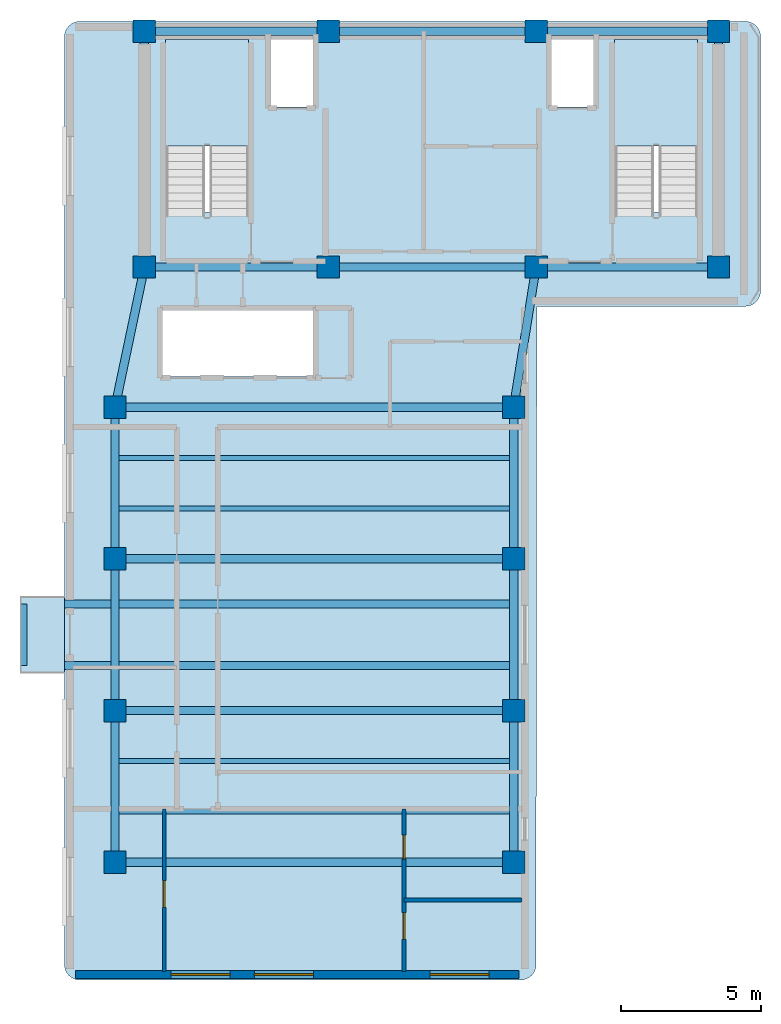
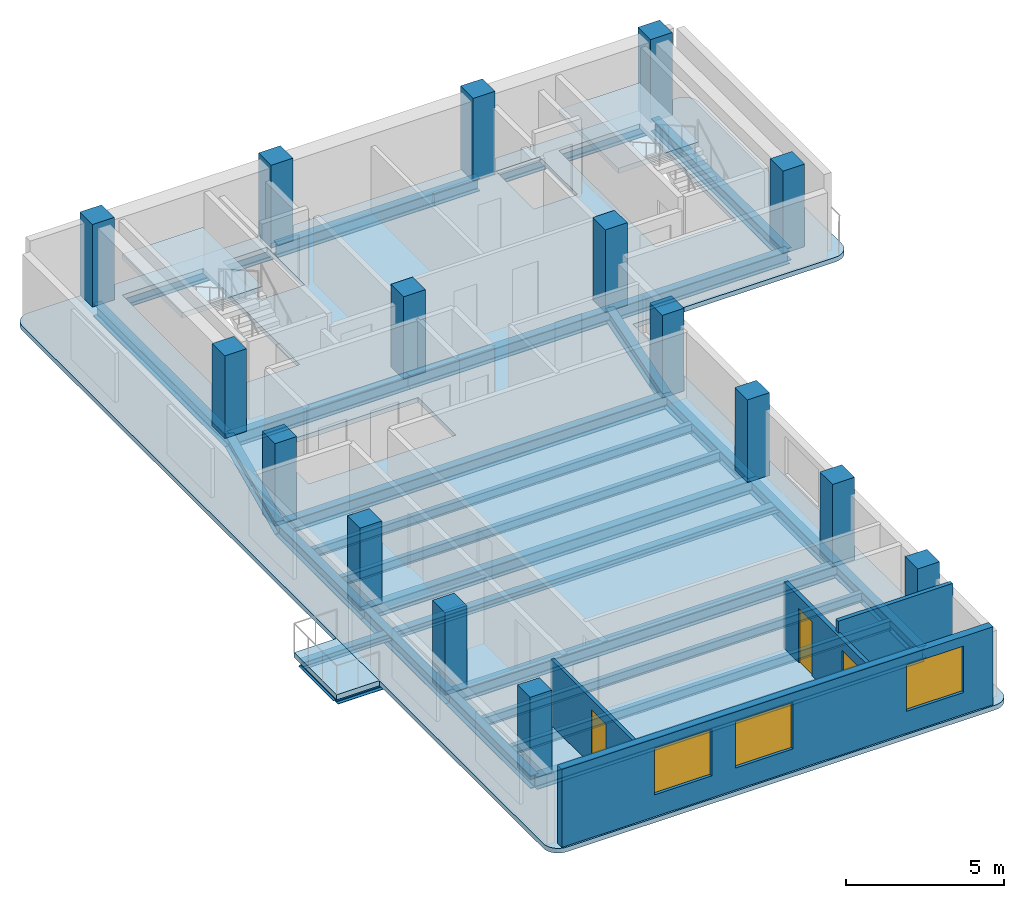
# One storey, part 1 of 5: 27 beams, 16 columns, 4 slabs, 4 walls, 3 doors, 3 windows, 6 openings, 2 elements without a shape of their own.
"""IFC4 building model written with IfcOpenShell, lengths in metres."""

from ifc_helpers import new_model, si_unit, direction, frame, frame_2d, origin, origin_2d, place, context, subcontext, project, spatial, polyline, rectangle, i_section, outline, extrude, material, layer, layer_set, material_profile, profile_set, type_object, element, fill, aggregate, save


model = new_model("IFC4")

# Units and contexts
model_context = context("Model", 3, precision=1e-05, world=origin(), true_north=direction((0.0, 1.0)))
body_context = subcontext(model_context, "Body", "Model", "MODEL_VIEW")
ifc_project = project(units=[si_unit("LENGTHUNIT", "METRE"), si_unit("AREAUNIT", "SQUARE_METRE"), si_unit("VOLUMEUNIT", "CUBIC_METRE"), si_unit("PLANEANGLEUNIT", "RADIAN"), si_unit("MASSUNIT", "GRAM", prefix="KILO")], contexts=[model_context])

# Site, building, storey
site_placement = place(None, origin())
site = spatial("IfcSite", under=ifc_project, at=site_placement, CompositionType="ELEMENT")
building_placement = place(site_placement, origin())
building = spatial("IfcBuilding", under=site, at=building_placement, Name="Kuzgunbayir Cultural Tower", CompositionType="ELEMENT")
storey_placement = place(building_placement, frame((0.0, 0.0, 231.199951171875)))
storey = spatial("IfcBuildingStorey", under=building, at=storey_placement, Name="L68", CompositionType="ELEMENT", Elevation=231.199951171875)

# Columns
ifc_material_1 = material(Name="Concrete C50/60", Category="concrete")
ifc_material_profile_1 = material_profile(ifc_material_1, rectangle(XDim=0.800048828125, YDim=0.800048828125, at=origin_2d()), Name="RC 800x800")
ifc_profile_set_1 = profile_set([ifc_material_profile_1], Name="Concrete C50/60")
column_type_1 = type_object("IfcColumnType", Name="COL-CORE-800", PredefinedType="COLUMN", material=ifc_profile_set_1)
for number, where, z_axis, x_axis, name in (
    (1, (6.449951171875, 33.800048828125, 0.0), (0.0, 0.0, 1.0), (1.0, 0.0, 0.0), "L68 T1 Core Boundary Column CC1-1"),
    (2, (13.0, 33.800048828125, 0.0), (0.0, 0.0, 1.0), (1.0, 0.0, 0.0), "L68 T1 Core Boundary Column CC1-2"),
    (3, (20.39990234375, 33.800048828125, 0.0), (0.0, 0.0, 1.0), (1.0, 0.0, 0.0), "L68 T1 Core Boundary Column CC1-3"),
    (4, (26.89990234375, 33.800048828125, 0.0), (0.0, 0.0, 1.0), (1.0, 0.0, 0.0), "L68 T1 Core Boundary Column CC1-4"),
    (5, (6.449951171875, 42.199951171875, 0.0), (0.0, 0.0, 1.0), (1.0, 0.0, 0.0), "L68 T1 Core Boundary Column CC1-5"),
    (6, (13.0, 42.199951171875, 0.0), (0.0, 0.0, 1.0), (1.0, 0.0, 0.0), "L68 T1 Core Boundary Column CC1-6"),
    (7, (20.39990234375, 42.199951171875, 0.0), (0.0, 0.0, 1.0), (1.0, 0.0, 0.0), "L68 T1 Core Boundary Column CC1-7"),
    (8, (26.89990234375, 42.199951171875, 0.0), (0.0, 0.0, 1.0), (1.0, 0.0, 0.0), "L68 T1 Core Boundary Column CC1-8"),
):
    element("IfcColumn", number, at=place(storey_placement, frame(where, z_axis=z_axis, x_axis=x_axis)), inside=storey, type_object=column_type_1, Name=name, PredefinedType="COLUMN", context=body_context, shape_type="SweptSolid", body=[
        extrude(rectangle(XDim=0.800048828125, YDim=0.800048828125, at=origin_2d()), origin(), (0.0, 0.0, 1.0), 3.199951171875),
    ])
ifc_material_profile_2 = material_profile(ifc_material_1, rectangle(XDim=0.800048828125, YDim=0.800048828125, at=origin_2d()), Name="RC 800x800")
ifc_profile_set_2 = profile_set([ifc_material_profile_2], Name="Concrete C50/60")
column_type_2 = type_object("IfcColumnType", Name="COL-T1-800", PredefinedType="COLUMN", material=ifc_profile_set_2)
for number, where, z_axis, x_axis, name in (
    (9, (5.39990234375, 12.60009765625, 0.0), (0.0, 0.0, 1.0), (1.0, 0.0, 0.0), "L68 Tower 1 Wing A Column T1A-W-1"),
    (10, (19.60009765625, 12.60009765625, 0.0), (0.0, 0.0, 1.0), (1.0, 0.0, 0.0), "L68 Tower 1 Wing A Column T1A-E-1"),
    (11, (5.39990234375, 18.0, 0.0), (0.0, 0.0, 1.0), (1.0, 0.0, 0.0), "L68 Tower 1 Wing A Column T1A-W-2"),
    (12, (19.60009765625, 18.0, 0.0), (0.0, 0.0, 1.0), (1.0, 0.0, 0.0), "L68 Tower 1 Wing A Column T1A-E-2"),
    (13, (5.39990234375, 23.39990234375, 0.0), (0.0, 0.0, 1.0), (1.0, 0.0, 0.0), "L68 Tower 1 Wing A Column T1A-W-3"),
    (14, (19.60009765625, 23.39990234375, 0.0), (0.0, 0.0, 1.0), (1.0, 0.0, 0.0), "L68 Tower 1 Wing A Column T1A-E-3"),
    (15, (5.39990234375, 28.800048828125, 0.0), (0.0, 0.0, 1.0), (1.0, 0.0, 0.0), "L68 Tower 1 Wing A Column T1A-W-4"),
    (16, (19.60009765625, 28.800048828125, 0.0), (0.0, 0.0, 1.0), (1.0, 0.0, 0.0), "L68 Tower 1 Wing A Column T1A-E-4"),
):
    element("IfcColumn", number, at=place(storey_placement, frame(where, z_axis=z_axis, x_axis=x_axis)), inside=storey, type_object=column_type_2, Name=name, PredefinedType="COLUMN", context=body_context, shape_type="SweptSolid", body=[
        extrude(rectangle(XDim=0.800048828125, YDim=0.800048828125, at=origin_2d()), origin(), (0.0, 0.0, 1.0), 3.199951171875),
    ])

# Beams
ifc_material_2 = material(Name="Steel S355J2", Category="steel")
ifc_material_profile_3 = material_profile(ifc_material_2, i_section(OverallWidth=0.280029296875, OverallDepth=0.280029296875, WebThickness=0.010498046875, FlangeThickness=0.01806640625, FilletRadius=0.02392578125, at=origin_2d()), Name="HEB 280")
ifc_profile_set_3 = profile_set([ifc_material_profile_3], Name="Steel S355J2")
beam_type_1 = type_object("IfcBeamType", Name="BM-BAL-HEB280", PredefinedType="BEAM", material=ifc_profile_set_3)
for number, where, z_axis, x_axis, name in (
    (17, (2.159912109375, 19.60009765625, -0.33984375), (1.0, 0.0, 0.0), (0.0, 1.0, 0.0), "L68 Balcony Outrigger Beam BAL-L68-WA2.1"),
    (18, (2.159912109375, 21.800048828125, -0.33984375), (1.0, 0.0, 0.0), (0.0, 1.0, 0.0), "L68 Balcony Outrigger Beam BAL-L68-WA2.2"),
):
    element("IfcBeam", number, at=place(storey_placement, frame(where, z_axis=z_axis, x_axis=x_axis)), inside=storey, type_object=beam_type_1, Name=name, PredefinedType="BEAM", context=body_context, shape_type="SweptSolid", body=[
        extrude(i_section(OverallWidth=0.280029296875, OverallDepth=0.280029296875, WebThickness=0.010498046875, FlangeThickness=0.01806640625, FilletRadius=0.02392578125, at=origin_2d()), origin(), (0.0, 0.0, 1.0), 17.440185546875),
    ])
ifc_material_profile_4 = material_profile(ifc_material_2, i_section(OverallWidth=0.199951171875, OverallDepth=0.199951171875, WebThickness=0.009033203125, FlangeThickness=0.014892578125, FilletRadius=0.01806640625, at=origin_2d()), Name="HEB 200")
ifc_profile_set_4 = profile_set([ifc_material_profile_4], Name="Steel S355J2")
beam_type_2 = type_object("IfcBeamType", Name="BM-CAN-HEB200", PredefinedType="BEAM", material=ifc_profile_set_4)
beam_1_placement = place(storey_placement, frame((2.159912109375, 19.60009765625, -0.300048828125), z_axis=(0.0, 1.0, 0.0), x_axis=(-1.0, 0.0, 0.0)))
element("IfcBeam", 19, at=beam_1_placement, inside=storey, type_object=beam_type_2, Name="L68 Balcony Edge Header BAL-L68-WA2", PredefinedType="BEAM", context=body_context, shape_type="SweptSolid", body=[
    extrude(i_section(OverallWidth=0.199951171875, OverallDepth=0.199951171875, WebThickness=0.009033203125, FlangeThickness=0.014892578125, FilletRadius=0.01806640625, at=origin_2d()), origin(), (0.0, 0.0, 1.0), 2.199951171875),
])
ifc_material_profile_5 = material_profile(ifc_material_2, i_section(OverallWidth=0.300048828125, OverallDepth=0.5, WebThickness=0.014404296875, FlangeThickness=0.028076171875, FilletRadius=0.027099609375, at=origin_2d()), Name="HEB 500")
ifc_profile_set_5 = profile_set([ifc_material_profile_5], Name="Steel S355J2")
beam_type_3 = type_object("IfcBeamType", Name="BM-EXT-HEB500", PredefinedType="BEAM", material=ifc_profile_set_5)
for number, where, z_axis, x_axis, name in (
    (20, (5.39990234375, 12.60009765625, -0.429931640625), (0.0, 1.0, 0.0), (-1.0, 0.0, 0.0), "L68 Wing A West Girder 1"),
    (21, (19.60009765625, 12.60009765625, -0.429931640625), (0.0, 1.0, 0.0), (-1.0, 0.0, 0.0), "L68 Wing A East Girder 1"),
    (22, (5.39990234375, 18.0, -0.429931640625), (0.0, 1.0, 0.0), (-1.0, 0.0, 0.0), "L68 Wing A West Girder 2"),
    (23, (19.60009765625, 18.0, -0.429931640625), (0.0, 1.0, 0.0), (-1.0, 0.0, 0.0), "L68 Wing A East Girder 2"),
):
    element("IfcBeam", number, at=place(storey_placement, frame(where, z_axis=z_axis, x_axis=x_axis)), inside=storey, type_object=beam_type_3, Name=name, PredefinedType="BEAM", context=body_context, shape_type="SweptSolid", body=[
        extrude(i_section(OverallWidth=0.300048828125, OverallDepth=0.5, WebThickness=0.014404296875, FlangeThickness=0.028076171875, FilletRadius=0.027099609375, at=origin_2d()), origin(), (0.0, 0.0, 1.0), 5.39990234375),
    ])
for number, where, z_axis, x_axis, name in (
    (24, (5.39990234375, 23.39990234375, -0.429931640625), (0.0, 1.0, 0.0), (-1.0, 0.0, 0.0), "L68 Wing A West Girder 3"),
    (25, (19.60009765625, 23.39990234375, -0.429931640625), (0.0, 1.0, 0.0), (-1.0, 0.0, 0.0), "L68 Wing A East Girder 3"),
):
    element("IfcBeam", number, at=place(storey_placement, frame(where, z_axis=z_axis, x_axis=x_axis)), inside=storey, type_object=beam_type_3, Name=name, PredefinedType="BEAM", context=body_context, shape_type="SweptSolid", body=[
        extrude(i_section(OverallWidth=0.300048828125, OverallDepth=0.5, WebThickness=0.014404296875, FlangeThickness=0.028076171875, FilletRadius=0.027099609375, at=origin_2d()), origin(), (0.0, 0.0, 1.0), 5.400146484375),
    ])
ifc_material_profile_6 = material_profile(ifc_material_2, i_section(OverallWidth=0.300048828125, OverallDepth=0.5, WebThickness=0.014404296875, FlangeThickness=0.028076171875, FilletRadius=0.027099609375, at=origin_2d()), Name="HEB 500")
ifc_profile_set_6 = profile_set([ifc_material_profile_6], Name="Steel S355J2")
beam_type_4 = type_object("IfcBeamType", Name="BM-GIR-HEB500", PredefinedType="BEAM", material=ifc_profile_set_6)
beam_2_placement = place(storey_placement, frame((6.449951171875, 33.800048828125, -0.429931640625), z_axis=(1.0, 0.0, 0.0), x_axis=(0.0, 1.0, 0.0)))
element("IfcBeam", 26, at=beam_2_placement, inside=storey, type_object=beam_type_4, Name="L68 Core South Girder 1", PredefinedType="BEAM", context=body_context, shape_type="SweptSolid", body=[
    extrude(i_section(OverallWidth=0.300048828125, OverallDepth=0.5, WebThickness=0.014404296875, FlangeThickness=0.028076171875, FilletRadius=0.027099609375, at=origin_2d()), origin(), (0.0, 0.0, 1.0), 6.550048828125),
])
beam_3_placement = place(storey_placement, frame((13.0, 33.800048828125, -0.429931640625), z_axis=(1.0, 0.0, 0.0), x_axis=(0.0, 1.0, 0.0)))
element("IfcBeam", 27, at=beam_3_placement, inside=storey, type_object=beam_type_4, Name="L68 Core South Girder 2", PredefinedType="BEAM", context=body_context, shape_type="SweptSolid", body=[
    extrude(i_section(OverallWidth=0.300048828125, OverallDepth=0.5, WebThickness=0.014404296875, FlangeThickness=0.028076171875, FilletRadius=0.027099609375, at=origin_2d()), origin(), (0.0, 0.0, 1.0), 7.39990234375),
])
beam_4_placement = place(storey_placement, frame((20.39990234375, 33.800048828125, -0.429931640625), z_axis=(1.0, 0.0, 0.0), x_axis=(0.0, 1.0, 0.0)))
element("IfcBeam", 28, at=beam_4_placement, inside=storey, type_object=beam_type_4, Name="L68 Core South Girder 3", PredefinedType="BEAM", context=body_context, shape_type="SweptSolid", body=[
    extrude(i_section(OverallWidth=0.300048828125, OverallDepth=0.5, WebThickness=0.014404296875, FlangeThickness=0.028076171875, FilletRadius=0.027099609375, at=origin_2d()), origin(), (0.0, 0.0, 1.0), 6.5),
])
beam_5_placement = place(storey_placement, frame((6.449951171875, 42.199951171875, -0.429931640625), z_axis=(1.0, 0.0, 0.0), x_axis=(0.0, 1.0, 0.0)))
element("IfcBeam", 29, at=beam_5_placement, inside=storey, type_object=beam_type_4, Name="L68 Core North Girder 1", PredefinedType="BEAM", context=body_context, shape_type="SweptSolid", body=[
    extrude(i_section(OverallWidth=0.300048828125, OverallDepth=0.5, WebThickness=0.014404296875, FlangeThickness=0.028076171875, FilletRadius=0.027099609375, at=origin_2d()), origin(), (0.0, 0.0, 1.0), 6.550048828125),
])
beam_6_placement = place(storey_placement, frame((13.0, 42.199951171875, -0.429931640625), z_axis=(1.0, 0.0, 0.0), x_axis=(0.0, 1.0, 0.0)))
element("IfcBeam", 30, at=beam_6_placement, inside=storey, type_object=beam_type_4, Name="L68 Core North Girder 2", PredefinedType="BEAM", context=body_context, shape_type="SweptSolid", body=[
    extrude(i_section(OverallWidth=0.300048828125, OverallDepth=0.5, WebThickness=0.014404296875, FlangeThickness=0.028076171875, FilletRadius=0.027099609375, at=origin_2d()), origin(), (0.0, 0.0, 1.0), 7.39990234375),
])
beam_7_placement = place(storey_placement, frame((20.39990234375, 42.199951171875, -0.429931640625), z_axis=(1.0, 0.0, 0.0), x_axis=(0.0, 1.0, 0.0)))
element("IfcBeam", 31, at=beam_7_placement, inside=storey, type_object=beam_type_4, Name="L68 Core North Girder 3", PredefinedType="BEAM", context=body_context, shape_type="SweptSolid", body=[
    extrude(i_section(OverallWidth=0.300048828125, OverallDepth=0.5, WebThickness=0.014404296875, FlangeThickness=0.028076171875, FilletRadius=0.027099609375, at=origin_2d()), origin(), (0.0, 0.0, 1.0), 6.5),
])
for number, where, z_axis, x_axis, name in (
    (32, (6.449951171875, 33.800048828125, -0.429931640625), (0.0, 1.0, 0.0), (-1.0, 0.0, 0.0), "L68 Core West Edge Girder"),
    (33, (26.89990234375, 33.800048828125, -0.429931640625), (0.0, 1.0, 0.0), (-1.0, 0.0, 0.0), "L68 Core East Edge Girder"),
):
    element("IfcBeam", number, at=place(storey_placement, frame(where, z_axis=z_axis, x_axis=x_axis)), inside=storey, type_object=beam_type_4, Name=name, PredefinedType="BEAM", context=body_context, shape_type="SweptSolid", body=[
        extrude(i_section(OverallWidth=0.300048828125, OverallDepth=0.5, WebThickness=0.014404296875, FlangeThickness=0.028076171875, FilletRadius=0.027099609375, at=origin_2d()), origin(), (0.0, 0.0, 1.0), 8.39990234375),
    ])
for number, where, z_axis, x_axis, name in (
    (34, (5.39990234375, 12.60009765625, -0.429931640625), (1.0, 0.0, 0.0), (0.0, 1.0, 0.0), "L68 Wing A Transverse Girder 1"),
    (35, (5.39990234375, 18.0, -0.429931640625), (1.0, 0.0, 0.0), (0.0, 1.0, 0.0), "L68 Wing A Transverse Girder 2"),
    (36, (5.39990234375, 23.39990234375, -0.429931640625), (1.0, 0.0, 0.0), (0.0, 1.0, 0.0), "L68 Wing A Transverse Girder 3"),
    (37, (5.39990234375, 28.800048828125, -0.429931640625), (1.0, 0.0, 0.0), (0.0, 1.0, 0.0), "L68 Wing A Transverse Girder 4"),
):
    element("IfcBeam", number, at=place(storey_placement, frame(where, z_axis=z_axis, x_axis=x_axis)), inside=storey, type_object=beam_type_4, Name=name, PredefinedType="BEAM", context=body_context, shape_type="SweptSolid", body=[
        extrude(i_section(OverallWidth=0.300048828125, OverallDepth=0.5, WebThickness=0.014404296875, FlangeThickness=0.028076171875, FilletRadius=0.027099609375, at=origin_2d()), origin(), (0.0, 0.0, 1.0), 14.2001953125),
    ])
beam_8_placement = place(storey_placement, frame((5.39990234375, 28.800048828125, -0.429931640625), z_axis=(0.205526387753, 0.978651574329, 0.0), x_axis=(-0.978651574329, 0.205526387753, 0.0)))
element("IfcBeam", 38, at=beam_8_placement, inside=storey, type_object=beam_type_4, Name="L68 Wing A West Core Floor Girder", PredefinedType="BEAM", context=body_context, shape_type="SweptSolid", body=[
    extrude(i_section(OverallWidth=0.300048828125, OverallDepth=0.5, WebThickness=0.014404296875, FlangeThickness=0.028076171875, FilletRadius=0.027099609375, at=origin_2d()), origin(), (0.0, 0.0, 1.0), 5.109130859375),
])
beam_9_placement = place(storey_placement, frame((19.60009765625, 28.800048828125, -0.429931640625), z_axis=(0.157952891656, 0.987446648694, 0.0), x_axis=(-0.987446648694, 0.157952891656, 0.0)))
element("IfcBeam", 39, at=beam_9_placement, inside=storey, type_object=beam_type_4, Name="L68 Wing A East Core Floor Girder", PredefinedType="BEAM", context=body_context, shape_type="SweptSolid", body=[
    extrude(i_section(OverallWidth=0.300048828125, OverallDepth=0.5, WebThickness=0.014404296875, FlangeThickness=0.028076171875, FilletRadius=0.027099609375, at=origin_2d()), origin(), (0.0, 0.0, 1.0), 5.0634765625),
])
ifc_material_profile_7 = material_profile(ifc_material_2, i_section(OverallWidth=0.169921875, OverallDepth=0.360107421875, WebThickness=0.008056640625, FlangeThickness=0.0126953125, FilletRadius=0.01806640625, at=origin_2d()), Name="IPE 360")
ifc_profile_set_7 = profile_set([ifc_material_profile_7], Name="Steel S355J2")
beam_type_5 = type_object("IfcBeamType", Name="BM-JST-IPE360", PredefinedType="JOIST", material=ifc_profile_set_7)
for number, where, z_axis, x_axis, name in (
    (40, (5.550048828125, 14.39990234375, -0.35986328125), (1.0, 0.0, 0.0), (0.0, 1.0, 0.0), "L68 Wing A Secondary Joist 1"),
    (41, (5.550048828125, 16.199951171875, -0.35986328125), (1.0, 0.0, 0.0), (0.0, 1.0, 0.0), "L68 Wing A Secondary Joist 2"),
    (42, (5.550048828125, 25.199951171875, -0.35986328125), (1.0, 0.0, 0.0), (0.0, 1.0, 0.0), "L68 Wing A Secondary Joist 5"),
    (43, (5.550048828125, 27.0, -0.35986328125), (1.0, 0.0, 0.0), (0.0, 1.0, 0.0), "L68 Wing A Secondary Joist 6"),
):
    element("IfcBeam", number, at=place(storey_placement, frame(where, z_axis=z_axis, x_axis=x_axis)), inside=storey, type_object=beam_type_5, Name=name, PredefinedType="JOIST", context=body_context, shape_type="SweptSolid", body=[
        extrude(i_section(OverallWidth=0.169921875, OverallDepth=0.360107421875, WebThickness=0.008056640625, FlangeThickness=0.0126953125, FilletRadius=0.01806640625, at=origin_2d()), origin(), (0.0, 0.0, 1.0), 13.89990234375),
    ])

# Slab
ifc_material_3 = material(Name="Concrete C40/50", Category="concrete")
ifc_layer_1 = layer(ifc_material_3, 0.199951171875)
ifc_layer_set_1 = layer_set([ifc_layer_1], Name="Concrete C40/50")
slab_type_1 = type_object("IfcSlabType", Name="SLB-BAL-STONE", PredefinedType="FLOOR", material=ifc_layer_set_1)
slab_1_placement = place(storey_placement, frame((0.0, 0.0, -0.199951171875)))
element("IfcSlab", 44, at=slab_1_placement, inside=storey, type_object=slab_type_1, Name="L68 Projecting Limestone Balcony BAL-L68-WA2", PredefinedType="FLOOR", context=body_context, shape_type="SweptSolid", body=[
    extrude(outline(polyline([(2.0400390625, 19.35009765625), (3.60009765625, 19.35009765625), (3.60009765625, 22.050048828125), (2.0400390625, 22.050048828125), (2.0400390625, 19.35009765625)])), origin(), (0.0, 0.0, 1.0), 0.199951171875),
])

# Stair, slab
stair_type = type_object("IfcStairType", Name="STR-EXIT-CORE", PredefinedType="HALF_TURN_STAIR", material=ifc_material_3)
stair_1_placement = place(storey_placement, origin())
stair_1 = element("IfcStair", 45, at=stair_1_placement, inside=storey, type_object=stair_type, Name="L68 ST-1", PredefinedType="HALF_TURN_STAIR")
ifc_layer_2 = layer(ifc_material_3, 0.179931640625)
ifc_layer_set_2 = layer_set([ifc_layer_2], Name="Concrete C40/50")
slab_type_2 = type_object("IfcSlabType", Name="SLB-LANDING-180", PredefinedType="LANDING", material=ifc_layer_set_2)
slab_2_placement = place(storey_placement, frame((0.0, 0.0, 1.400146484375)))
slab_2 = element("IfcSlab", 46, at=slab_2_placement, type_object=slab_type_2, Name="ST-1 landing 1", PredefinedType="LANDING", context=body_context, shape_type="SweptSolid", body=[
    extrude(outline(polyline([(10.159912109375, 38.1201171875), (10.159912109375, 41.89990234375), (7.199951171875, 41.89990234375), (7.199951171875, 38.1201171875), (10.159912109375, 38.1201171875)])), origin(), (0.0, 0.0, 1.0), 0.199951171875),
])
aggregate(stair_1, [slab_2])

stair_2_placement = place(storey_placement, origin())
stair_2 = element("IfcStair", 47, at=stair_2_placement, inside=storey, type_object=stair_type, Name="L68 ST-2", PredefinedType="HALF_TURN_STAIR")
slab_3_placement = place(storey_placement, frame((0.0, 0.0, 1.400146484375)))
slab_3 = element("IfcSlab", 48, at=slab_3_placement, type_object=slab_type_2, Name="ST-2 landing 1", PredefinedType="LANDING", context=body_context, shape_type="SweptSolid", body=[
    extrude(outline(polyline([(26.159912109375, 38.1201171875), (26.159912109375, 41.89990234375), (23.199951171875, 41.89990234375), (23.199951171875, 38.1201171875), (26.159912109375, 38.1201171875)])), origin(), (0.0, 0.0, 1.0), 0.199951171875),
])
aggregate(stair_2, [slab_3])

# Slab
ifc_layer_3 = layer(ifc_material_3, 0.179931640625)
ifc_layer_set_3 = layer_set([ifc_layer_3], Name="Concrete C40/50")
slab_type_3 = type_object("IfcSlabType", Name="SLB-TYP-180", PredefinedType="FLOOR", material=ifc_layer_set_3)
slab_4_placement = place(storey_placement, frame((0.0, 0.0, -0.179931640625)))
element("IfcSlab", 49, at=slab_4_placement, inside=storey, type_object=slab_type_3, Name="L68 Tower 1 Floor Slab T1-MAIN", PredefinedType="FLOOR", context=body_context, shape_type="SweptSolid", body=[
    extrude(outline(polyline([(20.39990234375, 8.949951171875), (20.389892578125, 8.840087890625), (20.360107421875, 8.739990234375), (20.31005859375, 8.639892578125), (20.239990234375, 8.56005859375), (20.159912109375, 8.489990234375), (20.06005859375, 8.43994140625), (19.9599609375, 8.409912109375), (19.85009765625, 8.39990234375), (4.14990234375, 8.39990234375), (4.0400390625, 8.409912109375), (3.93994140625, 8.43994140625), (3.840087890625, 8.489990234375), (3.760009765625, 8.56005859375), (3.68994140625, 8.639892578125), (3.639892578125, 8.739990234375), (3.610107421875, 8.840087890625), (3.60009765625, 8.949951171875), (3.60009765625, 42.0), (3.610107421875, 42.110107421875), (3.639892578125, 42.2099609375), (3.68994140625, 42.31005859375), (3.760009765625, 42.389892578125), (3.840087890625, 42.4599609375), (3.93994140625, 42.510009765625), (4.0400390625, 42.5400390625), (4.14990234375, 42.550048828125), (27.85009765625, 42.550048828125), (27.9599609375, 42.5400390625), (28.06005859375, 42.510009765625), (28.159912109375, 42.4599609375), (28.239990234375, 42.389892578125), (28.31005859375, 42.31005859375), (28.360107421875, 42.2099609375), (28.389892578125, 42.110107421875), (28.39990234375, 42.0), (28.39990234375, 32.949951171875), (28.389892578125, 32.840087890625), (28.360107421875, 32.739990234375), (28.31005859375, 32.639892578125), (28.239990234375, 32.56005859375), (28.159912109375, 32.489990234375), (28.06005859375, 32.43994140625), (27.9599609375, 32.409912109375), (27.85009765625, 32.39990234375), (20.429931640625, 32.39990234375), (20.39990234375, 8.949951171875)]), holes=[polyline([(7.199951171875, 35.760009765625), (7.199951171875, 41.89990234375), (10.159912109375, 41.89990234375), (10.159912109375, 35.760009765625), (7.199951171875, 35.760009765625)]), polyline([(23.199951171875, 35.760009765625), (23.199951171875, 41.89990234375), (26.159912109375, 41.89990234375), (26.159912109375, 35.760009765625), (23.199951171875, 35.760009765625)]), polyline([(7.10009765625, 29.89990234375), (7.10009765625, 32.300048828125), (12.5, 32.300048828125), (12.5, 29.89990234375), (7.10009765625, 29.89990234375)]), polyline([(10.89990234375, 39.5), (10.89990234375, 41.89990234375), (12.5, 41.89990234375), (12.5, 39.5), (10.89990234375, 39.5)]), polyline([(20.89990234375, 39.5), (20.89990234375, 41.89990234375), (22.5, 41.89990234375), (22.5, 39.5), (20.89990234375, 39.5)])]), origin(), (0.0, 0.0, 1.0), 0.179931640625),
])

# Wall, openings, windows
ifc_material_4 = material(Name="Anatolian Cream Limestone", Category="masonry")
ifc_layer_4 = layer(ifc_material_4, 0.280029296875)
ifc_layer_set_4 = layer_set([ifc_layer_4], Name="Anatolian Cream Limestone")
wall_type_1 = type_object("IfcWallType", Name="WAL-EXT-STONE-280", PredefinedType="STANDARD", material=ifc_layer_set_4)
wall_1_placement = place(storey_placement, frame((4.0, 8.60009765625, 0.0), z_axis=(0.0, 0.0, 1.0), x_axis=(1.0, 0.0, 0.0)))
wall_1 = element("IfcWall", 50, at=wall_1_placement, inside=storey, type_object=wall_type_1, Name="L68 Wing A South Limestone Wall", PredefinedType="STANDARD", context=body_context, shape_type="SweptSolid", body=[
    extrude(rectangle(XDim=15.800048828125, YDim=0.280029296875, at=frame_2d((7.89990234375, 0.0))), origin(), (0.0, 0.0, 1.0), 3.02001953125),
])
opening_1_placement = place(wall_1_placement, frame((6.3701171875, 0.0, 0.85009765625)))
opening_1 = element("IfcOpeningElement", 51, at=opening_1_placement, cuts=wall_1, Name="Opening WR-21", PredefinedType="OPENING", context=body_context, shape_type="SweptSolid", body=[
    extrude(rectangle(XDim=2.10009765625, YDim=1.800048828125, at=frame_2d((1.050048828125, 0.89990234375))), frame((0.0, 0.14990234375, 0.0), z_axis=(0.0, -1.0, 0.0), x_axis=(1.0, 0.0, 0.0)), (0.0, 0.0, 1.0), 0.300048828125),
])
opening_2_placement = place(wall_1_placement, frame((12.6298828125, 0.0, 0.85009765625)))
opening_2 = element("IfcOpeningElement", 52, at=opening_2_placement, cuts=wall_1, Name="Opening WR-21", PredefinedType="OPENING", context=body_context, shape_type="SweptSolid", body=[
    extrude(rectangle(XDim=2.10009765625, YDim=1.800048828125, at=frame_2d((1.050048828125, 0.89990234375))), frame((0.0, 0.14990234375, 0.0), z_axis=(0.0, -1.0, 0.0), x_axis=(1.0, 0.0, 0.0)), (0.0, 0.0, 1.0), 0.300048828125),
])
opening_3_placement = place(wall_1_placement, frame((3.39990234375, 0.0, 0.85009765625)))
opening_3 = element("IfcOpeningElement", 53, at=opening_3_placement, cuts=wall_1, Name="Opening WR-21", PredefinedType="OPENING", context=body_context, shape_type="SweptSolid", body=[
    extrude(rectangle(XDim=2.10009765625, YDim=1.800048828125, at=frame_2d((1.050048828125, 0.89990234375))), frame((0.0, 0.14990234375, 0.0), z_axis=(0.0, -1.0, 0.0), x_axis=(1.0, 0.0, 0.0)), (0.0, 0.0, 1.0), 0.300048828125),
])
ifc_material_5 = material(Name="Solar-Control Triple Glazing", Category="glass")
window_type = type_object("IfcWindowType", Name="WIN-RESID-21", PartitioningType="SINGLE_PANEL", PredefinedType="WINDOW", material=ifc_material_5)
window_1_placement = place(opening_1_placement, origin())
window_1 = element("IfcWindow", 54, at=window_1_placement, inside=storey, type_object=window_type, Name="L68 WAS Facade Window 3", OverallHeight=1.800048828125, OverallWidth=2.10009765625, PartitioningType="SINGLE_PANEL", PredefinedType="WINDOW", context=body_context, shape_type="SweptSolid", body=[
    extrude(rectangle(XDim=2.10009765625, YDim=1.800048828125, at=frame_2d((1.050048828125, 0.89990234375))), frame((0.0, 0.030029296875, 0.0), z_axis=(0.0, -1.0, 0.0), x_axis=(1.0, 0.0, 0.0)), (0.0, 0.0, 1.0), 0.06005859375),
])
fill(opening_1, window_1)
window_2_placement = place(opening_2_placement, origin())
window_2 = element("IfcWindow", 55, at=window_2_placement, inside=storey, type_object=window_type, Name="L68 WAS Facade Window 4", OverallHeight=1.800048828125, OverallWidth=2.10009765625, PartitioningType="SINGLE_PANEL", PredefinedType="WINDOW", context=body_context, shape_type="SweptSolid", body=[
    extrude(rectangle(XDim=2.10009765625, YDim=1.800048828125, at=frame_2d((1.050048828125, 0.89990234375))), frame((0.0, 0.030029296875, 0.0), z_axis=(0.0, -1.0, 0.0), x_axis=(1.0, 0.0, 0.0)), (0.0, 0.0, 1.0), 0.06005859375),
])
fill(opening_2, window_2)
window_3_placement = place(opening_3_placement, origin())
window_3 = element("IfcWindow", 56, at=window_3_placement, inside=storey, type_object=window_type, Name="L68 WAS Facade Window 11", OverallHeight=1.800048828125, OverallWidth=2.10009765625, PartitioningType="SINGLE_PANEL", PredefinedType="WINDOW", context=body_context, shape_type="SweptSolid", body=[
    extrude(rectangle(XDim=2.10009765625, YDim=1.800048828125, at=frame_2d((1.050048828125, 0.89990234375))), frame((0.0, 0.030029296875, 0.0), z_axis=(0.0, -1.0, 0.0), x_axis=(1.0, 0.0, 0.0)), (0.0, 0.0, 1.0), 0.06005859375),
])
fill(opening_3, window_3)

# Wall, opening, door
ifc_material_6 = material(Name="Framed Gypsum Partition", Category="gypsum")
ifc_layer_5 = layer(ifc_material_6, 0.1201171875)
ifc_layer_set_5 = layer_set([ifc_layer_5], Name="Framed Gypsum Partition")
wall_type_2 = type_object("IfcWallType", Name="WAL-PART-INT-120", PredefinedType="PARTITIONING", material=ifc_layer_set_5)
wall_2_placement = place(storey_placement, frame((7.14990234375, 8.699951171875, 0.0), z_axis=(0.0, 0.0, 1.0), x_axis=(0.0, 1.0, 0.0)))
wall_2 = element("IfcWall", 57, at=wall_2_placement, inside=storey, type_object=wall_type_2, Name="L68 Flat A West Bedroom Wall", PredefinedType="PARTITIONING", context=body_context, shape_type="SweptSolid", body=[
    extrude(rectangle(XDim=5.800048828125, YDim=0.1201171875, at=frame_2d((2.89990234375, 0.0))), origin(), (0.0, 0.0, 1.0), 2.56005859375),
])
opening_4_placement = place(wall_2_placement, frame((2.2900390625, 0.0, 0.0)))
opening_4 = element("IfcOpeningElement", 58, at=opening_4_placement, cuts=wall_2, Name="Opening DI-90", PredefinedType="OPENING", context=body_context, shape_type="SweptSolid", body=[
    extrude(rectangle(XDim=0.949951171875, YDim=2.14990234375, at=frame_2d((0.47509765625, 1.074951171875))), frame((0.0, 0.070068359375, 0.0), z_axis=(0.0, -1.0, 0.0), x_axis=(1.0, 0.0, 0.0)), (0.0, 0.0, 1.0), 0.14013671875),
])
ifc_material_7 = material(Name="Veneered Oak Single Leaf", Category="wood")
door_type_1 = type_object("IfcDoorType", Name="DR-INT-90", OperationType="NOTDEFINED", PredefinedType="DOOR", material=ifc_material_7)
door_1_placement = place(opening_4_placement, origin())
door_1 = element("IfcDoor", 59, at=door_1_placement, inside=storey, type_object=door_type_1, Name="L68 Apartment A Bedroom Door", OperationType="SINGLE_SWING_RIGHT", OverallHeight=2.14990234375, OverallWidth=0.949951171875, PredefinedType="DOOR", context=body_context, shape_type="SweptSolid", body=[
    extrude(rectangle(XDim=0.949951171875, YDim=2.14990234375, at=frame_2d((0.47509765625, 1.074951171875))), frame((0.0, 0.02490234375, 0.0), z_axis=(0.0, -1.0, 0.0), x_axis=(1.0, 0.0, 0.0)), (0.0, 0.0, 1.0), 0.050048828125),
])
fill(opening_4, door_1)

# Wall, openings, doors
ifc_material_8 = material(Name="Moisture-Resistant Tile Partition", Category="gypsum")
ifc_layer_6 = layer(ifc_material_8, 0.14990234375)
ifc_layer_set_6 = layer_set([ifc_layer_6], Name="Moisture-Resistant Tile Partition")
wall_type_3 = type_object("IfcWallType", Name="WAL-PART-WET-150", PredefinedType="PARTITIONING", material=ifc_layer_set_6)
wall_3_placement = place(storey_placement, frame((15.699951171875, 8.699951171875, 0.0), z_axis=(0.0, 0.0, 1.0), x_axis=(0.0, 1.0, 0.0)))
wall_3 = element("IfcWall", 60, at=wall_3_placement, inside=storey, type_object=wall_type_3, Name="L68 Flat A East Service Wall", PredefinedType="PARTITIONING", context=body_context, shape_type="SweptSolid", body=[
    extrude(rectangle(XDim=5.800048828125, YDim=0.14990234375, at=frame_2d((2.89990234375, 0.0))), origin(), (0.0, 0.0, 1.0), 2.56005859375),
])
opening_5_placement = place(wall_3_placement, frame((1.14990234375, 0.0, 0.0)))
opening_5 = element("IfcOpeningElement", 61, at=opening_5_placement, cuts=wall_3, Name="Opening DI-90", PredefinedType="OPENING", context=body_context, shape_type="SweptSolid", body=[
    extrude(rectangle(XDim=0.949951171875, YDim=2.14990234375, at=frame_2d((0.47509765625, 1.074951171875))), frame((0.0, 0.0849609375, 0.0), z_axis=(0.0, -1.0, 0.0), x_axis=(1.0, 0.0, 0.0)), (0.0, 0.0, 1.0), 0.169921875),
])
opening_6_placement = place(wall_3_placement, frame((4.010009765625, 0.0, 0.0)))
opening_6 = element("IfcOpeningElement", 62, at=opening_6_placement, cuts=wall_3, Name="Opening DW-85", PredefinedType="OPENING", context=body_context, shape_type="SweptSolid", body=[
    extrude(rectangle(XDim=0.85009765625, YDim=2.10009765625, at=frame_2d((0.425048828125, 1.050048828125))), frame((0.0, 0.0849609375, 0.0), z_axis=(0.0, -1.0, 0.0), x_axis=(1.0, 0.0, 0.0)), (0.0, 0.0, 1.0), 0.169921875),
])
door_2_placement = place(opening_5_placement, origin())
door_2 = element("IfcDoor", 63, at=door_2_placement, inside=storey, type_object=door_type_1, Name="L68 Apartment A Kitchen Door", OperationType="SINGLE_SWING_LEFT", OverallHeight=2.14990234375, OverallWidth=0.949951171875, PredefinedType="DOOR", context=body_context, shape_type="SweptSolid", body=[
    extrude(rectangle(XDim=0.949951171875, YDim=2.14990234375, at=frame_2d((0.47509765625, 1.074951171875))), frame((0.0, 0.02490234375, 0.0), z_axis=(0.0, -1.0, 0.0), x_axis=(1.0, 0.0, 0.0)), (0.0, 0.0, 1.0), 0.050048828125),
])
fill(opening_5, door_2)
ifc_material_9 = material(Name="Laminate Moisture-Resistant Leaf", Category="wood")
door_type_2 = type_object("IfcDoorType", Name="DR-WET-85", OperationType="NOTDEFINED", PredefinedType="DOOR", material=ifc_material_9)
door_3_placement = place(opening_6_placement, origin())
door_3 = element("IfcDoor", 64, at=door_3_placement, inside=storey, type_object=door_type_2, Name="L68 Apartment A Bathroom Door", OperationType="SINGLE_SWING_RIGHT", OverallHeight=2.10009765625, OverallWidth=0.85009765625, PredefinedType="DOOR", context=body_context, shape_type="SweptSolid", body=[
    extrude(rectangle(XDim=0.85009765625, YDim=2.10009765625, at=frame_2d((0.425048828125, 1.050048828125))), frame((0.0, 0.02490234375, 0.0), z_axis=(0.0, -1.0, 0.0), x_axis=(1.0, 0.0, 0.0)), (0.0, 0.0, 1.0), 0.050048828125),
])
fill(opening_6, door_3)

# Wall
wall_4_placement = place(storey_placement, frame((15.699951171875, 11.25, 0.0), z_axis=(0.0, 0.0, 1.0), x_axis=(1.0, 0.0, 0.0)))
element("IfcWall", 65, at=wall_4_placement, inside=storey, type_object=wall_type_3, Name="L68 Flat A Bath Kitchen Divider", PredefinedType="PARTITIONING", context=body_context, shape_type="SweptSolid", body=[
    extrude(rectangle(XDim=4.199951171875, YDim=0.14990234375, at=frame_2d((2.10009765625, 0.0))), origin(), (0.0, 0.0, 1.0), 3.02001953125),
])

save(model, "model.ifc")
